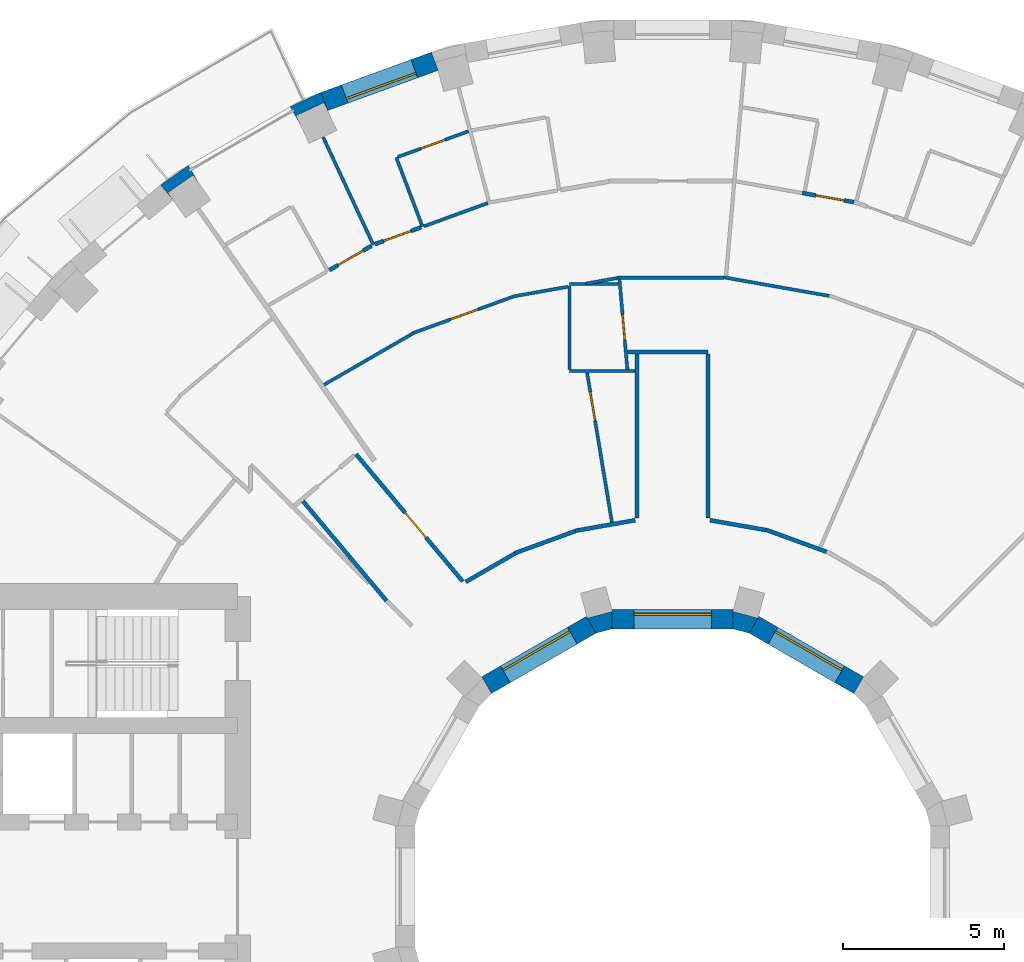
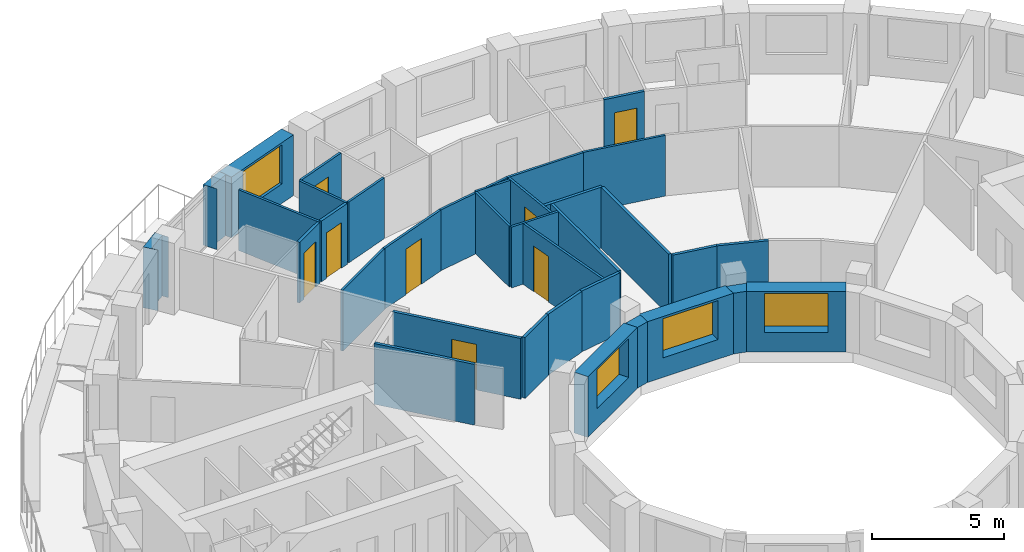
# One storey, part 11 of 14: 36 walls, 8 doors, 4 windows, 12 openings.
"""IFC4 building model written with IfcOpenShell, lengths in metres."""

from ifc_helpers import new_model, si_unit, direction, frame, frame_2d, origin, place, context, subcontext, project, spatial, polyline, rectangle, outline, extrude, material, layer, layer_set, type_object, element, fill, save


model = new_model("IFC4")

# Units and contexts
model_context = context("Model", 3, precision=1e-05, world=origin(), true_north=direction((0.0, 1.0)))
body_context = subcontext(model_context, "Body", "Model", "MODEL_VIEW")
ifc_project = project(units=[si_unit("LENGTHUNIT", "METRE"), si_unit("AREAUNIT", "SQUARE_METRE"), si_unit("VOLUMEUNIT", "CUBIC_METRE"), si_unit("PLANEANGLEUNIT", "RADIAN"), si_unit("MASSUNIT", "GRAM", prefix="KILO")], contexts=[model_context])

# Site, building, storey
site_placement = place(None, origin())
site = spatial("IfcSite", under=ifc_project, at=site_placement, CompositionType="ELEMENT")
building_placement = place(site_placement, origin())
building = spatial("IfcBuilding", under=site, at=building_placement, Name="Saqina Gate Tower", CompositionType="ELEMENT")
storey_placement = place(building_placement, frame((0.0, 0.0, 101.800048828125)))
storey = spatial("IfcBuildingStorey", under=building, at=storey_placement, Name="L28", CompositionType="ELEMENT", Elevation=101.800048828125)

# Walls
ifc_material_1 = material(Name="Brick masonry (buff)", Category="masonry")
wall_type_1 = type_object("IfcWallType", Name="BRICK PIER COPING BUFF", PredefinedType="SOLIDWALL", material=ifc_material_1)
wall_1_placement = place(storey_placement, origin())
element("IfcWall", 1, at=wall_1_placement, inside=storey, type_object=wall_type_1, Name="Pier cap L28 column 12", PredefinedType="SOLIDWALL", context=body_context, shape_type="SweptSolid", body=[
    extrude(outline(polyline([(-10.913330078125, 24.6513671875), (-11.869140625, 24.205810546875), (-11.569091796875, 23.68603515625), (-11.6826171875, 23.9296875), (-10.82177734375, 24.331298828125), (-10.7080078125, 24.08740234375), (-10.913330078125, 24.6513671875)])), origin(), (0.0, 0.0, 1.0), 2.800048828125),
])
wall_2_placement = place(storey_placement, origin())
element("IfcWall", 2, at=wall_2_placement, inside=storey, type_object=wall_type_1, Name="Pier cap L28 column 13", PredefinedType="SOLIDWALL", context=body_context, shape_type="SweptSolid", body=[
    extrude(outline(polyline([(-15.89208984375, 21.77685546875), (-15.50634765625, 21.317138671875), (-15.66064453125, 21.53759765625), (-14.88232421875, 22.08251953125), (-14.728271484375, 21.862060546875), (-15.0283203125, 22.3818359375), (-15.89208984375, 21.77685546875)])), origin(), (0.0, 0.0, 1.0), 2.800048828125),
])

# Wall, opening, window
ifc_material_2 = material(Name="Brick masonry (buff)", Category="masonry")
ifc_layer_1 = layer(ifc_material_2, 0.60009765625)
ifc_layer_set_1 = layer_set([ifc_layer_1], Name="FW-BRICK-BUFF")
wall_type_2 = type_object("IfcWallType", Name="FW-BRICK-BUFF", PredefinedType="SOLIDWALL", material=ifc_layer_set_1)
wall_3_placement = place(storey_placement, frame((-7.3828125, 25.616943359375, 0.0), z_axis=(0.0, 0.0, 1.0), x_axis=(-0.939703505393, -0.341990236633, 0.0)))
wall_3 = element("IfcWall", 3, at=wall_3_placement, inside=storey, type_object=wall_type_2, Name="Facade wall L28 facet 11", PredefinedType="SOLIDWALL", context=body_context, shape_type="SweptSolid", body=[
    extrude(rectangle(XDim=3.64794921875, YDim=0.60009765625, at=frame_2d((1.823974609375, 0.0))), origin(), (0.0, 0.0, 1.0), 2.800048828125),
])
opening_1_placement = place(wall_3_placement, frame((0.673828125, 0.0, 0.89990234375)))
opening_1 = element("IfcOpeningElement", 4, at=opening_1_placement, cuts=wall_3, Name="Opening G08-W09", PredefinedType="OPENING", context=body_context, shape_type="SweptSolid", body=[
    extrude(rectangle(XDim=2.300048828125, YDim=1.800048828125, at=frame_2d((1.14990234375, 0.89990234375))), frame((0.0, 0.31201171875, 0.0), z_axis=(0.0, -1.0, 0.0), x_axis=(1.0, 0.0, 0.0)), (0.0, 0.0, 1.0), 0.6240234375),
])
ifc_material_3 = material(Name="Aluminium glazing", Category="aluminium")
window_type_1 = type_object("IfcWindowType", Name="WN-B", PartitioningType="SINGLE_PANEL", PredefinedType="WINDOW", material=ifc_material_3)
window_1_placement = place(opening_1_placement, origin())
window_1 = element("IfcWindow", 5, at=window_1_placement, inside=storey, type_object=window_type_1, Name="Window L28 facet 11", OverallHeight=1.800048828125, OverallWidth=2.300048828125, PartitioningType="SINGLE_PANEL", PredefinedType="WINDOW", context=body_context, shape_type="SweptSolid", body=[
    extrude(rectangle(XDim=2.300048828125, YDim=1.800048828125, at=frame_2d((1.14990234375, 0.89990234375))), frame((0.0, 0.179931640625, 0.0), z_axis=(0.0, -1.0, 0.0), x_axis=(1.0, 0.0, 0.0)), (0.0, 0.0, 1.0), 0.06005859375),
])
fill(opening_1, window_1)

ifc_material_4 = material(Name="Glazed ceramic tile", Category="ceramic")
ifc_layer_2 = layer(ifc_material_4, 0.60009765625)
ifc_layer_set_2 = layer_set([ifc_layer_2], Name="IW-TILE")
wall_type_3 = type_object("IfcWallType", Name="IW-TILE", PredefinedType="SOLIDWALL", material=ifc_layer_set_2)
wall_4_placement = place(storey_placement, frame((5.772705078125, 6.251220703125, 0.0), z_axis=(0.0, 0.0, 1.0), x_axis=(-0.86604563398, 0.499964958637, 0.0)))
wall_4 = element("IfcWall", 6, at=wall_4_placement, inside=storey, type_object=wall_type_3, Name="Well wall L28 facet 2", PredefinedType="SOLIDWALL", context=body_context, shape_type="SweptSolid", body=[
    extrude(rectangle(XDim=3.747314453125, YDim=0.60009765625, at=frame_2d((1.87353515625, 0.0))), origin(), (0.0, 0.0, 1.0), 2.800048828125),
])
opening_2_placement = place(wall_4_placement, frame((0.673583984375, 0.0, 0.89990234375)))
opening_2 = element("IfcOpeningElement", 7, at=opening_2_placement, cuts=wall_4, Name="Opening G08-W24", PredefinedType="OPENING", context=body_context, shape_type="SweptSolid", body=[
    extrude(rectangle(XDim=2.39990234375, YDim=1.800048828125, at=frame_2d((1.199951171875, 0.89990234375))), frame((0.0, 0.31201171875, 0.0), z_axis=(0.0, -1.0, 0.0), x_axis=(1.0, 0.0, 0.0)), (0.0, 0.0, 1.0), 0.6240234375),
])
ifc_material_5 = material(Name="Aluminium glazing", Category="aluminium")
window_type_2 = type_object("IfcWindowType", Name="WN-W", PartitioningType="SINGLE_PANEL", PredefinedType="WINDOW", material=ifc_material_5)
window_2_placement = place(opening_2_placement, origin())
window_2 = element("IfcWindow", 8, at=window_2_placement, inside=storey, type_object=window_type_2, Name="Well window L28 facet 2", OverallHeight=1.800048828125, OverallWidth=2.39990234375, PartitioningType="SINGLE_PANEL", PredefinedType="WINDOW", context=body_context, shape_type="SweptSolid", body=[
    extrude(rectangle(XDim=2.39990234375, YDim=1.800048828125, at=frame_2d((1.199951171875, 0.89990234375))), frame((0.0, -0.119873046875, 0.0), z_axis=(0.0, -1.0, 0.0), x_axis=(1.0, 0.0, 0.0)), (0.0, 0.0, 1.0), 0.06005859375),
])
fill(opening_2, window_2)

wall_5_placement = place(storey_placement, frame((1.873779296875, 8.300048828125, 0.0), z_axis=(0.0, 0.0, 1.0), x_axis=(-1.0, 0.0, 0.0)))
wall_5 = element("IfcWall", 9, at=wall_5_placement, inside=storey, type_object=wall_type_3, Name="Well wall L28 facet 3", PredefinedType="SOLIDWALL", context=body_context, shape_type="SweptSolid", body=[
    extrude(rectangle(XDim=3.74755859375, YDim=0.60009765625, at=frame_2d((1.873779296875, 0.0))), origin(), (0.0, 0.0, 1.0), 2.800048828125),
])
opening_3_placement = place(wall_5_placement, frame((0.673583984375, 0.0, 0.89990234375)))
opening_3 = element("IfcOpeningElement", 10, at=opening_3_placement, cuts=wall_5, Name="Opening G08-W25", PredefinedType="OPENING", context=body_context, shape_type="SweptSolid", body=[
    extrude(rectangle(XDim=2.39990234375, YDim=1.800048828125, at=frame_2d((1.199951171875, 0.89990234375))), frame((0.0, 0.31201171875, 0.0), z_axis=(0.0, -1.0, 0.0), x_axis=(1.0, 0.0, 0.0)), (0.0, 0.0, 1.0), 0.6240234375),
])
window_3_placement = place(opening_3_placement, origin())
window_3 = element("IfcWindow", 11, at=window_3_placement, inside=storey, type_object=window_type_2, Name="Well window L28 facet 3", OverallHeight=1.800048828125, OverallWidth=2.39990234375, PartitioningType="SINGLE_PANEL", PredefinedType="WINDOW", context=body_context, shape_type="SweptSolid", body=[
    extrude(rectangle(XDim=2.39990234375, YDim=1.800048828125, at=frame_2d((1.199951171875, 0.89990234375))), frame((0.0, -0.119873046875, 0.0), z_axis=(0.0, -1.0, 0.0), x_axis=(1.0, 0.0, 0.0)), (0.0, 0.0, 1.0), 0.06005859375),
])
fill(opening_3, window_3)

wall_6_placement = place(storey_placement, frame((-2.52734375, 8.124755859375, 0.0), z_axis=(0.0, 0.0, 1.0), x_axis=(-0.86604563398, -0.499964958637, 0.0)))
wall_6 = element("IfcWall", 12, at=wall_6_placement, inside=storey, type_object=wall_type_3, Name="Well wall L28 facet 4", PredefinedType="SOLIDWALL", context=body_context, shape_type="SweptSolid", body=[
    extrude(rectangle(XDim=3.747314453125, YDim=0.60009765625, at=frame_2d((1.87353515625, 0.0))), origin(), (0.0, 0.0, 1.0), 2.800048828125),
])
opening_4_placement = place(wall_6_placement, frame((0.673583984375, 0.0, 0.89990234375)))
opening_4 = element("IfcOpeningElement", 13, at=opening_4_placement, cuts=wall_6, Name="Opening G08-W26", PredefinedType="OPENING", context=body_context, shape_type="SweptSolid", body=[
    extrude(rectangle(XDim=2.39990234375, YDim=1.800048828125, at=frame_2d((1.199951171875, 0.89990234375))), frame((0.0, 0.31201171875, 0.0), z_axis=(0.0, -1.0, 0.0), x_axis=(1.0, 0.0, 0.0)), (0.0, 0.0, 1.0), 0.6240234375),
])
window_4_placement = place(opening_4_placement, origin())
window_4 = element("IfcWindow", 14, at=window_4_placement, inside=storey, type_object=window_type_2, Name="Well window L28 facet 4", OverallHeight=1.800048828125, OverallWidth=2.39990234375, PartitioningType="SINGLE_PANEL", PredefinedType="WINDOW", context=body_context, shape_type="SweptSolid", body=[
    extrude(rectangle(XDim=2.39990234375, YDim=1.800048828125, at=frame_2d((1.199951171875, 0.89990234375))), frame((0.0, -0.119873046875, 0.0), z_axis=(0.0, -1.0, 0.0), x_axis=(1.0, 0.0, 0.0)), (0.0, 0.0, 1.0), 0.06005859375),
])
fill(opening_4, window_4)

# Wall, opening, door
ifc_material_6 = material(Name="Gypsum board on steel studs, 100 mm", Category="steel")
ifc_layer_3 = layer(ifc_material_6, 0.10009765625)
ifc_layer_set_3 = layer_set([ifc_layer_3], Name="PARTITION 100")
wall_type_4 = type_object("IfcWallType", Name="PARTITION 100", PredefinedType="PARTITIONING", material=ifc_layer_set_3)
wall_7_placement = place(storey_placement, frame((-1.64892578125, 18.84912109375, 0.0), z_axis=(0.0, 0.0, 1.0), x_axis=(0.087061215869, -0.996202963603, 0.0)))
wall_7 = element("IfcWall", 15, at=wall_7_placement, inside=storey, type_object=wall_type_4, Name="PARTITION PW3-01", PredefinedType="PARTITIONING", context=body_context, shape_type="SweptSolid", body=[
    extrude(rectangle(XDim=2.80712890625, YDim=0.10009765625, at=frame_2d((1.403564453125, 0.0))), origin(), (0.0, 0.0, 1.0), 2.800048828125),
])
opening_5_placement = place(wall_7_placement, frame((1.103271484375, 0.0, 0.0)))
opening_5 = element("IfcOpeningElement", 16, at=opening_5_placement, cuts=wall_7, Name="Opening G08-D10", PredefinedType="OPENING", context=body_context, shape_type="SweptSolid", body=[
    extrude(rectangle(XDim=0.800048828125, YDim=2.10009765625, at=frame_2d((0.39990234375, 1.050048828125))), frame((0.0, 0.06201171875, 0.0), z_axis=(0.0, -1.0, 0.0), x_axis=(1.0, 0.0, 0.0)), (0.0, 0.0, 1.0), 0.1240234375),
])
ifc_material_7 = material(Name="Timber door leaf, 800 mm", Category="wood")
door_type_1 = type_object("IfcDoorType", Name="DOOR 800 TIMBER", OperationType="SINGLE_SWING_LEFT", PredefinedType="DOOR", material=ifc_material_7)
door_1_placement = place(opening_5_placement, origin())
door_1 = element("IfcDoor", 17, at=door_1_placement, inside=storey, type_object=door_type_1, Name="DOOR G08-D10", OperationType="SINGLE_SWING_RIGHT", OverallHeight=2.10009765625, OverallWidth=0.800048828125, PredefinedType="DOOR", context=body_context, shape_type="SweptSolid", body=[
    extrude(rectangle(XDim=0.800048828125, YDim=2.10009765625, at=frame_2d((0.39990234375, 1.050048828125))), frame((0.0, 0.02490234375, 0.0), z_axis=(0.0, -1.0, 0.0), x_axis=(1.0, 0.0, 0.0)), (0.0, 0.0, 1.0), 0.050048828125),
])
fill(opening_5, door_1)

wall_8_placement = place(storey_placement, frame((-2.654541015625, 15.95068359375, 0.0), z_axis=(0.0, 0.0, 1.0), x_axis=(0.164012054584, -0.986458334625, 0.0)))
wall_8 = element("IfcWall", 18, at=wall_8_placement, inside=storey, type_object=wall_type_4, Name="PARTITION PW3-05", PredefinedType="PARTITIONING", context=body_context, shape_type="SweptSolid", body=[
    extrude(rectangle(XDim=4.706787109375, YDim=0.10009765625, at=frame_2d((2.353515625, 0.0))), origin(), (0.0, 0.0, 1.0), 2.800048828125),
])
opening_6_placement = place(wall_8_placement, frame((0.609619140625, 0.0, 0.0)))
opening_6 = element("IfcOpeningElement", 19, at=opening_6_placement, cuts=wall_8, Name="Opening G08-D11", PredefinedType="OPENING", context=body_context, shape_type="SweptSolid", body=[
    extrude(rectangle(XDim=0.89990234375, YDim=2.10009765625, at=frame_2d((0.449951171875, 1.050048828125))), frame((0.0, 0.06201171875, 0.0), z_axis=(0.0, -1.0, 0.0), x_axis=(1.0, 0.0, 0.0)), (0.0, 0.0, 1.0), 0.1240234375),
])
ifc_material_8 = material(Name="Timber door leaf, 900 mm", Category="wood")
door_type_2 = type_object("IfcDoorType", Name="DOOR 900 TIMBER", OperationType="SINGLE_SWING_LEFT", PredefinedType="DOOR", material=ifc_material_8)
door_2_placement = place(opening_6_placement, frame((0.89990234375, 0.0, 0.0), z_axis=(0.0, 0.0, 1.0), x_axis=(-1.0, 0.0, 0.0)))
door_2 = element("IfcDoor", 20, at=door_2_placement, inside=storey, type_object=door_type_2, Name="DOOR G08-D11", OperationType="SINGLE_SWING_RIGHT", OverallHeight=2.10009765625, OverallWidth=0.89990234375, PredefinedType="DOOR", context=body_context, shape_type="SweptSolid", body=[
    extrude(rectangle(XDim=0.89990234375, YDim=2.10009765625, at=frame_2d((0.449951171875, 1.050048828125))), frame((0.0, 0.02490234375, 0.0), z_axis=(0.0, -1.0, 0.0), x_axis=(1.0, 0.0, 0.0)), (0.0, 0.0, 1.0), 0.050048828125),
])
fill(opening_6, door_2)

# Walls
wall_9_placement = place(storey_placement, frame((-8.575927734375, 22.62890625, 0.0), z_axis=(0.0, 0.0, 1.0), x_axis=(0.354308635081, -0.935128542558, 0.0)))
element("IfcWall", 21, at=wall_9_placement, inside=storey, type_object=wall_type_4, Name="PARTITION PW3-11", PredefinedType="PARTITIONING", context=body_context, shape_type="SweptSolid", body=[
    extrude(rectangle(XDim=2.300048828125, YDim=0.10009765625, at=frame_2d((1.14990234375, 0.0))), origin(), (0.0, 0.0, 1.0), 2.800048828125),
])
wall_10_placement = place(storey_placement, frame((-10.8466796875, 23.26025390625, 0.0), z_axis=(0.0, 0.0, 1.0), x_axis=(0.422500901097, -0.906362503953, 0.0)))
element("IfcWall", 22, at=wall_10_placement, inside=storey, type_object=wall_type_4, Name="PARTITION PW3-12", PredefinedType="PARTITIONING", context=body_context, shape_type="SweptSolid", body=[
    extrude(rectangle(XDim=3.684326171875, YDim=0.10009765625, at=frame_2d((1.84228515625, 0.0))), origin(), (0.0, 0.0, 1.0), 2.800048828125),
])
wall_11_placement = place(storey_placement, frame((1.60302734375, 18.90771484375, 0.0), z_axis=(0.0, 0.0, 1.0), x_axis=(0.984831814927, -0.173511660439, 0.0)))
element("IfcWall", 23, at=wall_11_placement, inside=storey, type_object=wall_type_4, Name="PARTITION PW3-39", PredefinedType="PARTITIONING", context=body_context, shape_type="SweptSolid", body=[
    extrude(rectangle(XDim=3.30810546875, YDim=0.10009765625, at=frame_2d((1.654052734375, 0.0))), origin(), (0.0, 0.0, 1.0), 2.800048828125),
])
wall_12_placement = place(storey_placement, frame((-3.199951171875, 16.0, 0.0), z_axis=(0.0, 0.0, 1.0), x_axis=(1.0, 0.0, 0.0)))
element("IfcWall", 24, at=wall_12_placement, inside=storey, type_object=wall_type_4, Name="PARTITION PW3-44", PredefinedType="PARTITIONING", context=body_context, shape_type="SweptSolid", body=[
    extrude(rectangle(XDim=2.037353515625, YDim=0.10009765625, at=frame_2d((1.0185546875, 0.0))), origin(), (0.0, 0.0, 1.0), 2.800048828125),
])
wall_13_placement = place(storey_placement, frame((-3.197998046875, 18.699951171875, 0.0), z_axis=(0.0, 0.0, 1.0), x_axis=(1.0, 0.0, 0.0)))
element("IfcWall", 25, at=wall_13_placement, inside=storey, type_object=wall_type_4, Name="PARTITION PW3-45", PredefinedType="PARTITIONING", context=body_context, shape_type="SweptSolid", body=[
    extrude(rectangle(XDim=1.510986328125, YDim=0.10009765625, at=frame_2d((0.75537109375, 0.0))), origin(), (0.0, 0.0, 1.0), 2.800048828125),
])
wall_14_placement = place(storey_placement, frame((-1.703857421875, 18.89892578125, 0.0), z_axis=(0.0, 0.0, 1.0), x_axis=(1.0, 0.0, 0.0)))
element("IfcWall", 26, at=wall_14_placement, inside=storey, type_object=wall_type_4, Name="PARTITION PW3-46", PredefinedType="PARTITIONING", context=body_context, shape_type="SweptSolid", body=[
    extrude(rectangle(XDim=3.306884765625, YDim=0.10009765625, at=frame_2d((1.6533203125, 0.0))), origin(), (0.0, 0.0, 1.0), 2.800048828125),
])
wall_15_placement = place(storey_placement, frame((-4.959716796875, 18.3154296875, 0.0), z_axis=(0.0, 0.0, 1.0), x_axis=(0.984767989426, 0.173873537385, 0.0)))
element("IfcWall", 27, at=wall_15_placement, inside=storey, type_object=wall_type_4, Name="PARTITION PW3-50", PredefinedType="PARTITIONING", context=body_context, shape_type="SweptSolid", body=[
    extrude(rectangle(XDim=1.73681640625, YDim=0.10009765625, at=frame_2d((0.868408203125, 0.0))), origin(), (0.0, 0.0, 1.0), 2.800048828125),
])
wall_16_placement = place(storey_placement, frame((-2.6923828125, 18.715576171875, 0.0), z_axis=(0.0, 0.0, 1.0), x_axis=(0.984773780307, 0.173840736366, 0.0)))
element("IfcWall", 28, at=wall_16_placement, inside=storey, type_object=wall_type_4, Name="PARTITION PW3-51", PredefinedType="PARTITIONING", context=body_context, shape_type="SweptSolid", body=[
    extrude(rectangle(XDim=1.005615234375, YDim=0.10009765625, at=frame_2d((0.5029296875, 0.0))), origin(), (0.0, 0.0, 1.0), 2.800048828125),
])

# Wall, opening, door
wall_17_placement = place(storey_placement, frame((-8.065673828125, 17.1767578125, 0.0), z_axis=(0.0, 0.0, 1.0), x_axis=(0.939726606236, 0.341926754629, 0.0)))
wall_17 = element("IfcWall", 29, at=wall_17_placement, inside=storey, type_object=wall_type_4, Name="PARTITION PW3-57", PredefinedType="PARTITIONING", context=body_context, shape_type="SweptSolid", body=[
    extrude(rectangle(XDim=3.30810546875, YDim=0.10009765625, at=frame_2d((1.654052734375, 0.0))), origin(), (0.0, 0.0, 1.0), 2.800048828125),
])
opening_7_placement = place(wall_17_placement, frame((1.25439453125, 0.0, 0.0)))
opening_7 = element("IfcOpeningElement", 30, at=opening_7_placement, cuts=wall_17, Name="Opening G08-D14", PredefinedType="OPENING", context=body_context, shape_type="SweptSolid", body=[
    extrude(rectangle(XDim=0.89990234375, YDim=2.10009765625, at=frame_2d((0.449951171875, 1.050048828125))), frame((0.0, 0.06201171875, 0.0), z_axis=(0.0, -1.0, 0.0), x_axis=(1.0, 0.0, 0.0)), (0.0, 0.0, 1.0), 0.1240234375),
])
door_3_placement = place(opening_7_placement, frame((0.89990234375, 0.0, 0.0), z_axis=(0.0, 0.0, 1.0), x_axis=(-1.0, 0.0, 0.0)))
door_3 = element("IfcDoor", 31, at=door_3_placement, inside=storey, type_object=door_type_2, Name="DOOR G08-D14", OperationType="SINGLE_SWING_LEFT", OverallHeight=2.10009765625, OverallWidth=0.89990234375, PredefinedType="DOOR", context=body_context, shape_type="SweptSolid", body=[
    extrude(rectangle(XDim=0.89990234375, YDim=2.10009765625, at=frame_2d((0.449951171875, 1.050048828125))), frame((0.0, 0.02490234375, 0.0), z_axis=(0.0, -1.0, 0.0), x_axis=(1.0, 0.0, 0.0)), (0.0, 0.0, 1.0), 0.050048828125),
])
fill(opening_7, door_3)

# Wall
wall_18_placement = place(storey_placement, frame((-7.714111328125, 20.4951171875, 0.0), z_axis=(0.0, 0.0, 1.0), x_axis=(0.939725675468, 0.341929312674, 0.0)))
element("IfcWall", 32, at=wall_18_placement, inside=storey, type_object=wall_type_4, Name="PARTITION PW3-58", PredefinedType="PARTITIONING", context=body_context, shape_type="SweptSolid", body=[
    extrude(rectangle(XDim=2.10498046875, YDim=0.10009765625, at=frame_2d((1.052490234375, 0.0))), origin(), (0.0, 0.0, 1.0), 2.800048828125),
])

# Wall, opening, door
wall_19_placement = place(storey_placement, frame((-8.529052734375, 22.64599609375, 0.0), z_axis=(0.0, 0.0, 1.0), x_axis=(0.939707949959, 0.341978023831, 0.0)))
wall_19 = element("IfcWall", 33, at=wall_19_placement, inside=storey, type_object=wall_type_4, Name="PARTITION PW3-59", PredefinedType="PARTITIONING", context=body_context, shape_type="SweptSolid", body=[
    extrude(rectangle(XDim=2.3359375, YDim=0.10009765625, at=frame_2d((1.16796875, 0.0))), origin(), (0.0, 0.0, 1.0), 2.800048828125),
])
opening_8_placement = place(wall_19_placement, frame((0.767822265625, 0.0, 0.0)))
opening_8 = element("IfcOpeningElement", 34, at=opening_8_placement, cuts=wall_19, Name="Opening G08-D13", PredefinedType="OPENING", context=body_context, shape_type="SweptSolid", body=[
    extrude(rectangle(XDim=0.800048828125, YDim=2.10009765625, at=frame_2d((0.39990234375, 1.050048828125))), frame((0.0, 0.06201171875, 0.0), z_axis=(0.0, -1.0, 0.0), x_axis=(1.0, 0.0, 0.0)), (0.0, 0.0, 1.0), 0.1240234375),
])
door_4_placement = place(opening_8_placement, origin())
door_4 = element("IfcDoor", 35, at=door_4_placement, inside=storey, type_object=door_type_1, Name="DOOR G08-D13", OperationType="SINGLE_SWING_LEFT", OverallHeight=2.10009765625, OverallWidth=0.800048828125, PredefinedType="DOOR", context=body_context, shape_type="SweptSolid", body=[
    extrude(rectangle(XDim=0.800048828125, YDim=2.10009765625, at=frame_2d((0.39990234375, 1.050048828125))), frame((0.0, 0.02490234375, 0.0), z_axis=(0.0, -1.0, 0.0), x_axis=(1.0, 0.0, 0.0)), (0.0, 0.0, 1.0), 0.050048828125),
])
fill(opening_8, door_4)

# Walls
wall_20_placement = place(storey_placement, frame((-10.81591796875, 15.57763671875, 0.0), z_axis=(0.0, 0.0, 1.0), x_axis=(0.865900530636, 0.500216224292, 0.0)))
element("IfcWall", 36, at=wall_20_placement, inside=storey, type_object=wall_type_4, Name="PARTITION PW3-65", PredefinedType="PARTITIONING", context=body_context, shape_type="SweptSolid", body=[
    extrude(rectangle(XDim=3.18115234375, YDim=0.10009765625, at=frame_2d((1.590576171875, 0.0))), origin(), (0.0, 0.0, 1.0), 2.800048828125),
])
wall_21_placement = place(storey_placement, frame((-3.199951171875, 16.053955078125, 0.0), z_axis=(0.0, 0.0, 1.0), x_axis=(0.0, 1.0, 0.0)))
element("IfcWall", 37, at=wall_21_placement, inside=storey, type_object=wall_type_4, Name="PARTITION PW3-94", PredefinedType="PARTITIONING", context=body_context, shape_type="SweptSolid", body=[
    extrude(rectangle(XDim=2.593994140625, YDim=0.10009765625, at=frame_2d((1.296875, 0.0))), origin(), (0.0, 0.0, 1.0), 2.800048828125),
])
ifc_material_9 = material(Name="Gypsum board on steel studs, 125 mm, fire rated", Category="steel")
ifc_layer_4 = layer(ifc_material_9, 0.125)
ifc_layer_set_4 = layer_set([ifc_layer_4], Name="PARTITION EI 30 125")
wall_type_5 = type_object("IfcWallType", Name="PARTITION EI 30 125", PredefinedType="PARTITIONING", material=ifc_layer_set_4)
wall_22_placement = place(storey_placement, frame((-11.471923828125, 11.9619140625, 0.0), z_axis=(0.0, 0.0, 1.0), x_axis=(0.642533165624, -0.766257875048, 0.0)))
element("IfcWall", 38, at=wall_22_placement, inside=storey, type_object=wall_type_5, Name="PARTITION PW1-06", PredefinedType="PARTITIONING", context=body_context, shape_type="SweptSolid", body=[
    extrude(rectangle(XDim=4.033447265625, YDim=0.125, at=frame_2d((2.0166015625, 0.0))), origin(), (0.0, 0.0, 1.0), 2.800048828125),
])

# Wall, opening, door
wall_23_placement = place(storey_placement, frame((-9.827880859375, 13.423095703125, 0.0), z_axis=(0.0, 0.0, 1.0), x_axis=(0.642779949684, -0.766050870559, 0.0)))
wall_23 = element("IfcWall", 39, at=wall_23_placement, inside=storey, type_object=wall_type_5, Name="PARTITION PW1-07", PredefinedType="PARTITIONING", context=body_context, shape_type="SweptSolid", body=[
    extrude(rectangle(XDim=5.1552734375, YDim=0.125, at=frame_2d((2.57763671875, 0.0))), origin(), (0.0, 0.0, 1.0), 2.800048828125),
])
opening_9_placement = place(wall_23_placement, frame((2.38134765625, 0.0, 0.0)))
opening_9 = element("IfcOpeningElement", 40, at=opening_9_placement, cuts=wall_23, Name="Opening G08-D18", PredefinedType="OPENING", context=body_context, shape_type="SweptSolid", body=[
    extrude(rectangle(XDim=1.0, YDim=2.10009765625, at=frame_2d((0.5, 1.050048828125))), frame((0.0, 0.074462890625, 0.0), z_axis=(0.0, -1.0, 0.0), x_axis=(1.0, 0.0, 0.0)), (0.0, 0.0, 1.0), 0.14892578125),
])
ifc_material_10 = material(Name="Fire door leaf EI 30, 1000 mm")
door_type_3 = type_object("IfcDoorType", Name="DOOR 1000 EI 30", OperationType="SINGLE_SWING_LEFT", PredefinedType="DOOR", material=ifc_material_10)
door_5_placement = place(opening_9_placement, origin())
door_5 = element("IfcDoor", 41, at=door_5_placement, inside=storey, type_object=door_type_3, Name="DOOR G08-D18", OperationType="SINGLE_SWING_RIGHT", OverallHeight=2.10009765625, OverallWidth=1.0, PredefinedType="DOOR", context=body_context, shape_type="SweptSolid", body=[
    extrude(rectangle(XDim=1.0, YDim=2.10009765625, at=frame_2d((0.5, 1.050048828125))), frame((0.0, 0.02490234375, 0.0), z_axis=(0.0, -1.0, 0.0), x_axis=(1.0, 0.0, 0.0)), (0.0, 0.0, 1.0), 0.050048828125),
])
fill(opening_9, door_5)

# Wall
wall_24_placement = place(storey_placement, frame((2.902099609375, 11.073486328125, 0.0), z_axis=(0.0, 0.0, 1.0), x_axis=(0.939557391744, -0.342391453777, 0.0)))
element("IfcWall", 42, at=wall_24_placement, inside=storey, type_object=wall_type_5, Name="PARTITION PW1-20", PredefinedType="PARTITIONING", context=body_context, shape_type="SweptSolid", body=[
    extrude(rectangle(XDim=1.9951171875, YDim=0.125, at=frame_2d((0.99755859375, 0.0))), origin(), (0.0, 0.0, 1.0), 2.800048828125),
])

# Wall, opening, door
wall_25_placement = place(storey_placement, frame((4.02587890625, 21.527587890625, 0.0), z_axis=(0.0, 0.0, 1.0), x_axis=(0.984568254948, -0.175001003852, 0.0)))
wall_25 = element("IfcWall", 43, at=wall_25_placement, inside=storey, type_object=wall_type_5, Name="PARTITION PW1-23", PredefinedType="PARTITIONING", context=body_context, shape_type="SweptSolid", body=[
    extrude(rectangle(XDim=1.626708984375, YDim=0.125, at=frame_2d((0.8134765625, 0.0))), origin(), (0.0, 0.0, 1.0), 2.800048828125),
])
opening_10_placement = place(wall_25_placement, frame((0.42578125, 0.0, 0.0)))
opening_10 = element("IfcOpeningElement", 44, at=opening_10_placement, cuts=wall_25, Name="Opening G08-D07", PredefinedType="OPENING", context=body_context, shape_type="SweptSolid", body=[
    extrude(rectangle(XDim=0.89990234375, YDim=2.10009765625, at=frame_2d((0.449951171875, 1.050048828125))), frame((0.0, 0.074462890625, 0.0), z_axis=(0.0, -1.0, 0.0), x_axis=(1.0, 0.0, 0.0)), (0.0, 0.0, 1.0), 0.14892578125),
])
ifc_material_11 = material(Name="Fire door leaf EI 30, 900 mm")
door_type_4 = type_object("IfcDoorType", Name="DOOR 900 EI 30", OperationType="SINGLE_SWING_LEFT", PredefinedType="DOOR", material=ifc_material_11)
door_6_placement = place(opening_10_placement, frame((0.89990234375, 0.0, 0.0), z_axis=(0.0, 0.0, 1.0), x_axis=(-1.0, 0.0, 0.0)))
door_6 = element("IfcDoor", 45, at=door_6_placement, inside=storey, type_object=door_type_4, Name="DOOR G08-D07", OperationType="SINGLE_SWING_LEFT", OverallHeight=2.10009765625, OverallWidth=0.89990234375, PredefinedType="DOOR", context=body_context, shape_type="SweptSolid", body=[
    extrude(rectangle(XDim=0.89990234375, YDim=2.10009765625, at=frame_2d((0.449951171875, 1.050048828125))), frame((0.0, 0.02490234375, 0.0), z_axis=(0.0, -1.0, 0.0), x_axis=(1.0, 0.0, 0.0)), (0.0, 0.0, 1.0), 0.050048828125),
])
fill(opening_10, door_6)

# Walls
wall_26_placement = place(storey_placement, frame((1.15966796875, 11.371337890625, 0.0), z_axis=(0.0, 0.0, 1.0), x_axis=(0.984859944288, -0.173351925678, 0.0)))
element("IfcWall", 46, at=wall_26_placement, inside=storey, type_object=wall_type_5, Name="PARTITION PW1-25", PredefinedType="PARTITIONING", context=body_context, shape_type="SweptSolid", body=[
    extrude(rectangle(XDim=1.767578125, YDim=0.125, at=frame_2d((0.8837890625, 0.0))), origin(), (0.0, 0.0, 1.0), 2.800048828125),
])
wall_27_placement = place(storey_placement, frame((-1.40234375, 16.60009765625, 0.0), z_axis=(0.0, 0.0, 1.0), x_axis=(1.0, 0.0, 0.0)))
element("IfcWall", 47, at=wall_27_placement, inside=storey, type_object=wall_type_5, Name="PARTITION PW1-28", PredefinedType="PARTITIONING", context=body_context, shape_type="SweptSolid", body=[
    extrude(rectangle(XDim=2.50146484375, YDim=0.125, at=frame_2d((1.250732421875, 0.0))), origin(), (0.0, 0.0, 1.0), 2.800048828125),
])
wall_28_placement = place(storey_placement, frame((-3.024169921875, 11.04296875, 0.0), z_axis=(0.0, 0.0, 1.0), x_axis=(0.984843218933, 0.173446920187, 0.0)))
element("IfcWall", 48, at=wall_28_placement, inside=storey, type_object=wall_type_5, Name="PARTITION PW1-33", PredefinedType="PARTITIONING", context=body_context, shape_type="SweptSolid", body=[
    extrude(rectangle(XDim=1.893310546875, YDim=0.125, at=frame_2d((0.94677734375, 0.0))), origin(), (0.0, 0.0, 1.0), 2.800048828125),
])
wall_29_placement = place(storey_placement, frame((-4.8955078125, 10.349365234375, 0.0), z_axis=(0.0, 0.0, 1.0), x_axis=(0.939546719529, 0.342420738016, 0.0)))
element("IfcWall", 49, at=wall_29_placement, inside=storey, type_object=wall_type_5, Name="PARTITION PW1-36", PredefinedType="PARTITIONING", context=body_context, shape_type="SweptSolid", body=[
    extrude(rectangle(XDim=1.99560546875, YDim=0.125, at=frame_2d((0.997802734375, 0.0))), origin(), (0.0, 0.0, 1.0), 2.800048828125),
])

# Wall, opening, door
wall_30_placement = place(storey_placement, frame((-9.242919921875, 19.938232421875, 0.0), z_axis=(0.0, 0.0, 1.0), x_axis=(0.939611268692, 0.342243573711, 0.0)))
wall_30 = element("IfcWall", 50, at=wall_30_placement, inside=storey, type_object=wall_type_5, Name="PARTITION PW1-37", PredefinedType="PARTITIONING", context=body_context, shape_type="SweptSolid", body=[
    extrude(rectangle(XDim=1.52734375, YDim=0.125, at=frame_2d((0.763671875, 0.0))), origin(), (0.0, 0.0, 1.0), 2.800048828125),
])
opening_11_placement = place(wall_30_placement, frame((0.2939453125, 0.0, 0.0)))
opening_11 = element("IfcOpeningElement", 51, at=opening_11_placement, cuts=wall_30, Name="Opening G08-D15", PredefinedType="OPENING", context=body_context, shape_type="SweptSolid", body=[
    extrude(rectangle(XDim=0.89990234375, YDim=2.10009765625, at=frame_2d((0.449951171875, 1.050048828125))), frame((0.0, 0.074462890625, 0.0), z_axis=(0.0, -1.0, 0.0), x_axis=(1.0, 0.0, 0.0)), (0.0, 0.0, 1.0), 0.14892578125),
])
door_7_placement = place(opening_11_placement, frame((0.89990234375, 0.0, 0.0), z_axis=(0.0, 0.0, 1.0), x_axis=(-1.0, 0.0, 0.0)))
door_7 = element("IfcDoor", 52, at=door_7_placement, inside=storey, type_object=door_type_4, Name="DOOR G08-D15", OperationType="SINGLE_SWING_RIGHT", OverallHeight=2.10009765625, OverallWidth=0.89990234375, PredefinedType="DOOR", context=body_context, shape_type="SweptSolid", body=[
    extrude(rectangle(XDim=0.89990234375, YDim=2.10009765625, at=frame_2d((0.449951171875, 1.050048828125))), frame((0.0, 0.02490234375, 0.0), z_axis=(0.0, -1.0, 0.0), x_axis=(1.0, 0.0, 0.0)), (0.0, 0.0, 1.0), 0.050048828125),
])
fill(opening_11, door_7)

# Wall
wall_31_placement = place(storey_placement, frame((-6.42138671875, 9.456298828125, 0.0), z_axis=(0.0, 0.0, 1.0), x_axis=(0.866153397047, 0.499778243608, 0.0)))
element("IfcWall", 53, at=wall_31_placement, inside=storey, type_object=wall_type_5, Name="PARTITION PW1-40", PredefinedType="PARTITIONING", context=body_context, shape_type="SweptSolid", body=[
    extrude(rectangle(XDim=1.767822265625, YDim=0.125, at=frame_2d((0.8837890625, 0.0))), origin(), (0.0, 0.0, 1.0), 2.800048828125),
])

# Wall, opening, door
wall_32_placement = place(storey_placement, frame((-10.65478515625, 19.133056640625, 0.0), z_axis=(0.0, 0.0, 1.0), x_axis=(0.866040510187, 0.49997383403, 0.0)))
wall_32 = element("IfcWall", 54, at=wall_32_placement, inside=storey, type_object=wall_type_5, Name="PARTITION PW1-41", PredefinedType="PARTITIONING", context=body_context, shape_type="SweptSolid", body=[
    extrude(rectangle(XDim=1.51318359375, YDim=0.125, at=frame_2d((0.756591796875, 0.0))), origin(), (0.0, 0.0, 1.0), 2.800048828125),
])
opening_12_placement = place(wall_32_placement, frame((0.31298828125, 0.0, 0.0)))
opening_12 = element("IfcOpeningElement", 55, at=opening_12_placement, cuts=wall_32, Name="Opening G08-D16", PredefinedType="OPENING", context=body_context, shape_type="SweptSolid", body=[
    extrude(rectangle(XDim=0.89990234375, YDim=2.10009765625, at=frame_2d((0.449951171875, 1.050048828125))), frame((0.0, 0.074462890625, 0.0), z_axis=(0.0, -1.0, 0.0), x_axis=(1.0, 0.0, 0.0)), (0.0, 0.0, 1.0), 0.14892578125),
])
door_8_placement = place(opening_12_placement, frame((0.89990234375, 0.0, 0.0), z_axis=(0.0, 0.0, 1.0), x_axis=(-1.0, 0.0, 0.0)))
door_8 = element("IfcDoor", 56, at=door_8_placement, inside=storey, type_object=door_type_4, Name="DOOR G08-D16", OperationType="SINGLE_SWING_LEFT", OverallHeight=2.10009765625, OverallWidth=0.89990234375, PredefinedType="DOOR", context=body_context, shape_type="SweptSolid", body=[
    extrude(rectangle(XDim=0.89990234375, YDim=2.10009765625, at=frame_2d((0.449951171875, 1.050048828125))), frame((0.0, 0.02490234375, 0.0), z_axis=(0.0, -1.0, 0.0), x_axis=(1.0, 0.0, 0.0)), (0.0, 0.0, 1.0), 0.050048828125),
])
fill(opening_12, door_8)

# Walls
for number, where, z_axis, x_axis, name in (
    (57, (1.10009765625, 11.444580078125, 0.0), (0.0, 0.0, 1.0), (0.0, 1.0, 0.0), "PARTITION PW1-57"),
    (58, (-1.10009765625, 11.444580078125, 0.0), (0.0, 0.0, 1.0), (0.0, 1.0, 0.0), "PARTITION PW1-58"),
):
    element("IfcWall", number, at=place(storey_placement, frame(where, z_axis=z_axis, x_axis=x_axis)), inside=storey, type_object=wall_type_5, Name=name, PredefinedType="PARTITIONING", context=body_context, shape_type="SweptSolid", body=[
        extrude(rectangle(XDim=5.092041015625, YDim=0.125, at=frame_2d((2.5458984375, 0.0))), origin(), (0.0, 0.0, 1.0), 2.800048828125),
    ])
ifc_material_12 = material(Name="Glazed ceramic tile", Category="ceramic")
wall_type_6 = type_object("IfcWallType", Name="TILE PIER COPING", PredefinedType="SOLIDWALL", material=ifc_material_12)
wall_33_placement = place(storey_placement, origin())
element("IfcWall", 59, at=wall_33_placement, inside=storey, type_object=wall_type_6, Name="Well pier cap L28 column 3", PredefinedType="SOLIDWALL", context=body_context, shape_type="SweptSolid", body=[
    extrude(outline(polyline([(1.873779296875, 8.5380859375), (1.873779296875, 8.0), (2.377197265625, 7.864990234375), (2.646484375, 8.3310546875), (1.873779296875, 8.5380859375)])), origin(), (0.0, 0.0, 1.0), 2.800048828125),
])
wall_34_placement = place(storey_placement, origin())
element("IfcWall", 60, at=wall_34_placement, inside=storey, type_object=wall_type_6, Name="Well pier cap L28 column 4", PredefinedType="SOLIDWALL", context=body_context, shape_type="SweptSolid", body=[
    extrude(outline(polyline([(-2.646484375, 8.3310546875), (-2.377197265625, 7.864990234375), (-1.873779296875, 8.0), (-1.873779296875, 8.5380859375), (-2.646484375, 8.3310546875)])), origin(), (0.0, 0.0, 1.0), 2.800048828125),
])

save(model, "model.ifc")
